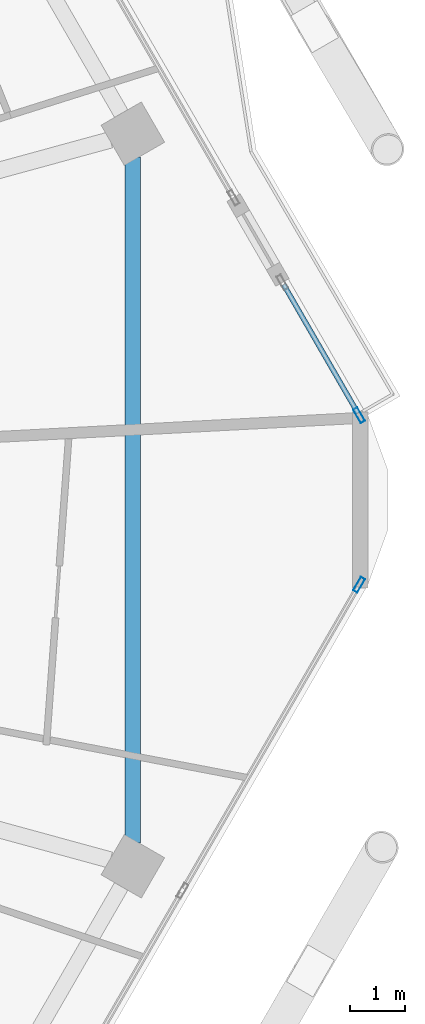
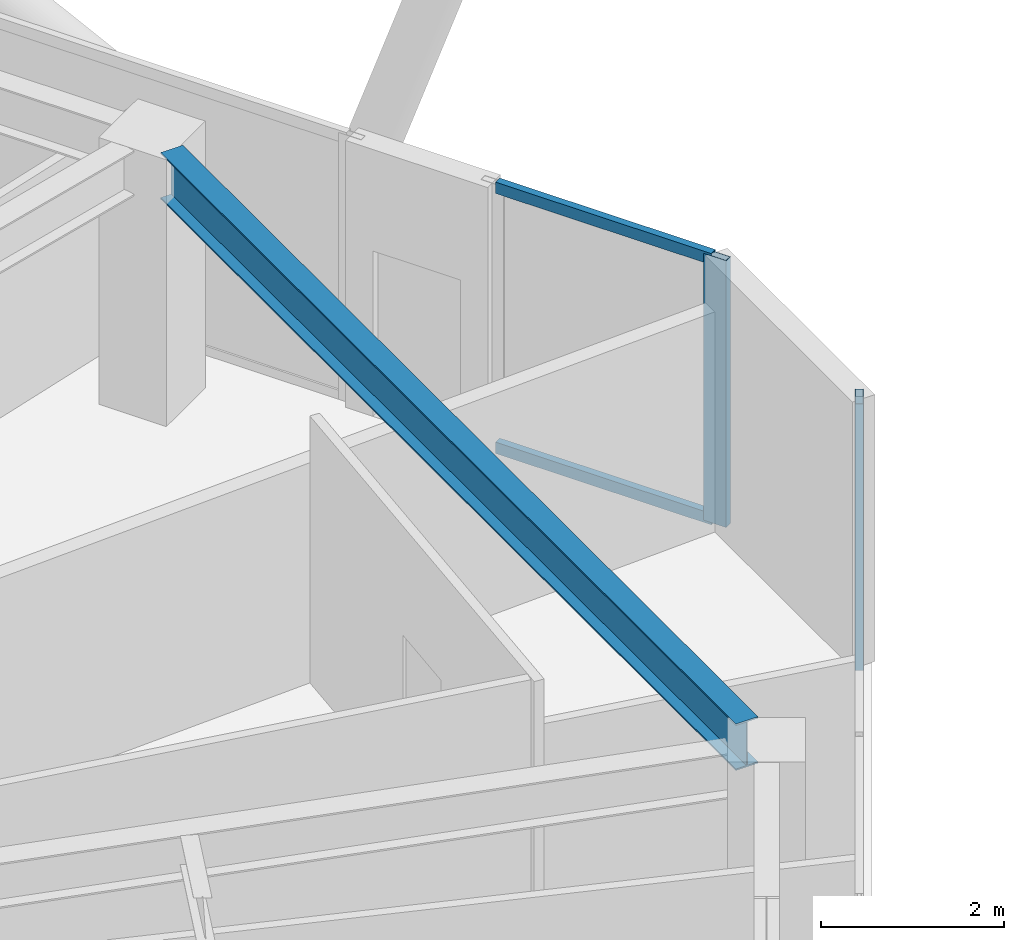
# One storey, part 11 of 28: 4 members, 1 beam, 2 elements without a shape of their own.
"""IFC4 building model written with IfcOpenShell, lengths in metres."""

from ifc_helpers import new_model, si_unit, direction, frame, origin, origin_2d, place, context, subcontext, project, spatial, hollow_rectangle, i_section, extrude, material, material_profile, profile_set, type_object, element, aggregate, save


model = new_model("IFC4")

# Units and contexts
model_context = context("Model", 3, precision=1e-05, world=origin(), true_north=direction((0.0, 1.0)))
body_context = subcontext(model_context, "Body", "Model", "MODEL_VIEW")
ifc_project = project(units=[si_unit("LENGTHUNIT", "METRE"), si_unit("AREAUNIT", "SQUARE_METRE"), si_unit("VOLUMEUNIT", "CUBIC_METRE"), si_unit("PLANEANGLEUNIT", "RADIAN"), si_unit("MASSUNIT", "GRAM", prefix="KILO")], contexts=[model_context])

# Site, building, storey
site_placement = place(None, origin())
site = spatial("IfcSite", under=ifc_project, at=site_placement, CompositionType="ELEMENT")
building_placement = place(site_placement, origin())
building = spatial("IfcBuilding", under=site, at=building_placement, Name="Zuhravey Tower", CompositionType="ELEMENT")
storey_placement = place(building_placement, frame((0.0, 0.0, 284.39990234375)))
storey = spatial("IfcBuildingStorey", under=building, at=storey_placement, Name="L72", CompositionType="ELEMENT", Elevation=284.39990234375)

# Curtain wall, member
ifc_material_1 = material(Name="Thermally broken anodised aluminium", Category="aluminium")
curtain_wall_type = type_object("IfcCurtainWallType", Name="Zone 3-4 High-Rise Curtain Wall CW4", PredefinedType="NOTDEFINED", material=ifc_material_1)
curtain_wall_1_placement = place(storey_placement, origin())
curtain_wall_1 = element("IfcCurtainWall", 1, at=curtain_wall_1_placement, inside=storey, type_object=curtain_wall_type, Name="L72 CW4 CW-L72-F6-1", PredefinedType="NOTDEFINED")
ifc_material_2 = material(Name="Anodised aluminium", Category="aluminium")
ifc_material_profile_1 = material_profile(ifc_material_2, hollow_rectangle(XDim=0.090087890625, YDim=0.284912109375, WallThickness=0.0048828125, at=origin_2d()), Name="ALU-RHS-90x285x5")
ifc_profile_set_1 = profile_set([ifc_material_profile_1], Name="Anodised aluminium")
member_type_1 = type_object("IfcMemberType", Name="Curtain-Wall Mullion 90x180", PredefinedType="MULLION", material=ifc_profile_set_1)
member_1_placement = place(storey_placement, frame((64.62255859375, 30.448486328125, 0.0), z_axis=(0.0, 0.0, 1.0), x_axis=(0.866024851021, -0.500000957414, 0.0)))
member_1 = element("IfcMember", 2, at=member_1_placement, type_object=member_type_1, Name="CW4 mullion 1", PredefinedType="MULLION", context=body_context, shape_type="SweptSolid", body=[
    extrude(hollow_rectangle(XDim=0.090087890625, YDim=0.284912109375, WallThickness=0.0048828125, at=origin_2d()), origin(), (0.0, 0.0, 1.0), 3.550048828125),
])
aggregate(curtain_wall_1, [member_1])

# Curtain wall, members
curtain_wall_2_placement = place(storey_placement, origin())
curtain_wall_2 = element("IfcCurtainWall", 3, at=curtain_wall_2_placement, inside=storey, type_object=curtain_wall_type, Name="L72 CW4 CW-L72-F1-2", PredefinedType="NOTDEFINED")
member_2_placement = place(storey_placement, frame((64.62255859375, 33.551513671875, 0.0), z_axis=(0.0, 0.0, 1.0), x_axis=(0.866018707062, 0.500011598885, 0.0)))
member_2 = element("IfcMember", 4, at=member_2_placement, type_object=member_type_1, Name="CW4 mullion 2", PredefinedType="MULLION", context=body_context, shape_type="SweptSolid", body=[
    extrude(hollow_rectangle(XDim=0.090087890625, YDim=0.284912109375, WallThickness=0.0048828125, at=origin_2d()), origin(), (0.0, 0.0, 1.0), 3.550048828125),
])
ifc_material_profile_2 = material_profile(ifc_material_2, hollow_rectangle(XDim=0.090087890625, YDim=0.14990234375, WallThickness=0.0048828125, at=origin_2d()), Name="ALU-RHS-90x150x5")
ifc_profile_set_2 = profile_set([ifc_material_profile_2], Name="Anodised aluminium")
member_type_2 = type_object("IfcMemberType", Name="Curtain-Wall Transom 90x150", PredefinedType="USERDEFINED", material=ifc_profile_set_2)
member_3_placement = place(storey_placement, frame((63.2431640625, 35.940673828125, 0.045166015625), z_axis=(0.499989809357, -0.866031287275, 0.0), x_axis=(0.866031287275, 0.499989809357, 0.0)))
member_3 = element("IfcMember", 5, at=member_3_placement, type_object=member_type_2, Name="CW4 transom 1.1", ObjectType="TRANSOM", PredefinedType="USERDEFINED", context=body_context, shape_type="SweptSolid", body=[
    extrude(hollow_rectangle(XDim=0.090087890625, YDim=0.14990234375, WallThickness=0.0048828125, at=origin_2d()), origin(), (0.0, 0.0, 1.0), 2.7138671875),
])
member_4_placement = place(storey_placement, frame((63.2431640625, 35.940673828125, 3.505126953125), z_axis=(0.499989809357, -0.866031287275, 0.0), x_axis=(0.866031287275, 0.499989809357, 0.0)))
member_4 = element("IfcMember", 6, at=member_4_placement, type_object=member_type_2, Name="CW4 transom 1.2", ObjectType="TRANSOM", PredefinedType="USERDEFINED", context=body_context, shape_type="SweptSolid", body=[
    extrude(hollow_rectangle(XDim=0.090087890625, YDim=0.14990234375, WallThickness=0.0048828125, at=origin_2d()), origin(), (0.0, 0.0, 1.0), 2.7138671875),
])
aggregate(curtain_wall_2, [member_2, member_3, member_4])

# Beam
ifc_material_3 = material(Name="Steel SM355", Category="steel")
ifc_material_profile_3 = material_profile(ifc_material_3, i_section(OverallWidth=0.280029296875, OverallDepth=0.6201171875, WebThickness=0.011962890625, FlangeThickness=0.02001953125, at=origin_2d()), Name="H-620x280x12x20")
ifc_profile_set_3 = profile_set([ifc_material_profile_3], Name="Steel SM355")
beam_type = type_object("IfcBeamType", Name="Perimeter Ring Beam H620x280", PredefinedType="BEAM", material=ifc_profile_set_3)
beam_placement = place(storey_placement, frame((60.484619140625, 25.72900390625, 3.239990234375), z_axis=(0.0, 1.0, 0.0), x_axis=(-1.0, 0.0, 0.0)))
element("IfcBeam", 7, at=beam_placement, inside=storey, type_object=beam_type, Name="L72 PB3 BM-L72-PB-12", PredefinedType="BEAM", context=body_context, shape_type="SweptSolid", body=[
    extrude(i_section(OverallWidth=0.280029296875, OverallDepth=0.6201171875, WebThickness=0.011962890625, FlangeThickness=0.02001953125, at=origin_2d()), origin(), (0.0, 0.0, 1.0), 12.5419921875),
])

save(model, "model.ifc")
